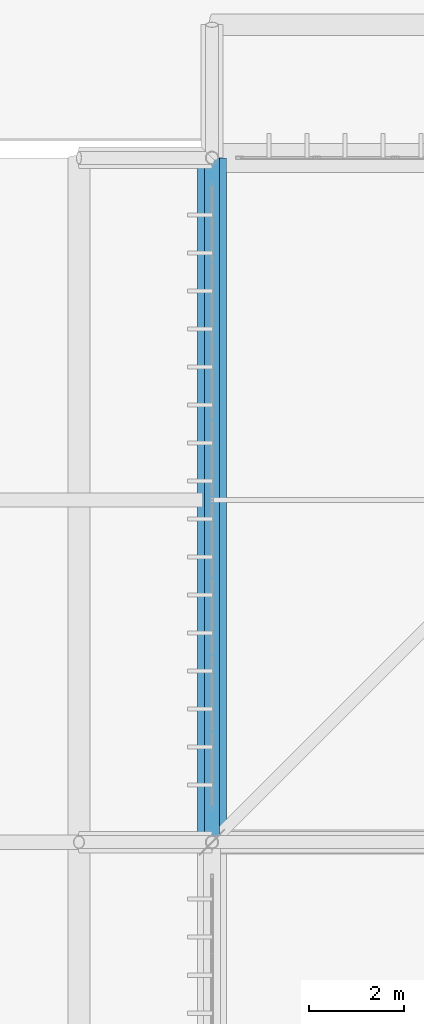
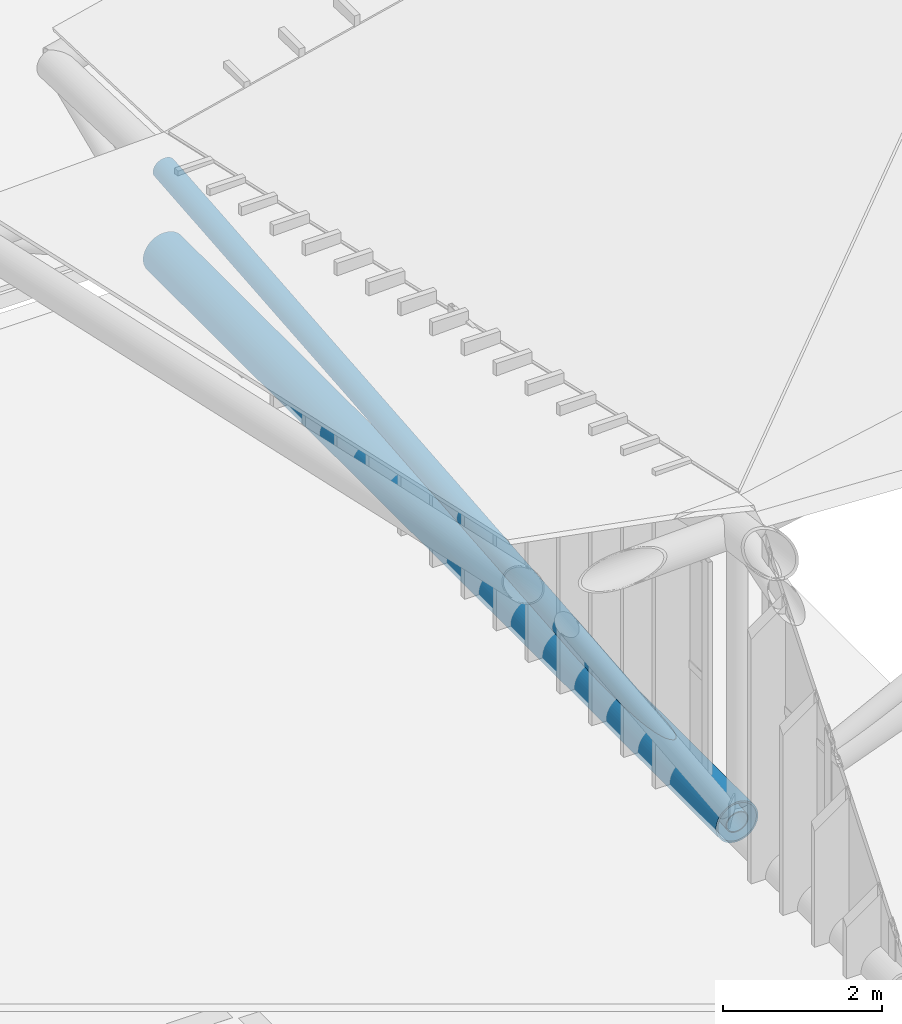
# One storey, part 214 of 397: 1 beam, 1 member.
"""IFC4 building model written with IfcOpenShell, lengths in metres."""

from ifc_helpers import new_model, si_unit, direction, frame, origin, origin_2d, place, context, subcontext, project, spatial, hollow_circle, extrude, material, material_profile, profile_set, type_object, element, save


model = new_model("IFC4")

# Units and contexts
model_context = context("Model", 3, precision=1e-05, world=origin(), true_north=direction((0.0, 1.0)))
body_context = subcontext(model_context, "Body", "Model", "MODEL_VIEW")
ifc_project = project(units=[si_unit("LENGTHUNIT", "METRE"), si_unit("AREAUNIT", "SQUARE_METRE"), si_unit("VOLUMEUNIT", "CUBIC_METRE"), si_unit("PLANEANGLEUNIT", "RADIAN"), si_unit("MASSUNIT", "GRAM", prefix="KILO")], contexts=[model_context])

# Site, building, storey
site_placement = place(None, origin())
site = spatial("IfcSite", under=ifc_project, at=site_placement, CompositionType="ELEMENT")
building_placement = place(site_placement, origin())
building = spatial("IfcBuilding", under=site, at=building_placement, Name="Qandorah Velis Arena", CompositionType="ELEMENT")
storey_placement = place(building_placement, frame((0.0, 0.0, 27.5)))
storey = spatial("IfcBuildingStorey", under=building, at=storey_placement, Name="RF", CompositionType="ELEMENT", Elevation=27.5)

# Beam
ifc_material_1 = material(Name="Steel S460", Category="steel")
ifc_material_profile_1 = material_profile(ifc_material_1, hollow_circle(Radius=0.304931640625, WallThickness=0.02490234375, at=origin_2d()), Name="CHS 610x25")
ifc_profile_set_1 = profile_set([ifc_material_profile_1], Name="Steel S460")
beam_type = type_object("IfcBeamType", Name="STR-SFC-CHS610X25", PredefinedType="USERDEFINED", material=ifc_profile_set_1)
beam_placement = place(storey_placement, frame((14.39990234375, 100.800048828125, 0.10009765625), z_axis=(0.0, 1.0, 0.0), x_axis=(-1.0, 0.0, 0.0)))
element("IfcBeam", 1, at=beam_placement, inside=storey, type_object=beam_type, Name="Space frame roof truss bottom chord Y 0.6", ObjectType="ROOF TRUSS", PredefinedType="USERDEFINED", context=body_context, shape_type="SweptSolid", body=[
    extrude(hollow_circle(Radius=0.304931640625, WallThickness=0.02490234375, at=origin_2d()), origin(), (0.0, 0.0, 1.0), 14.39990234375),
])

# Member
ifc_material_2 = material(Name="Steel S355", Category="steel")
ifc_material_profile_2 = material_profile(ifc_material_2, hollow_circle(Radius=0.161865234375, WallThickness=0.012451171875, at=origin_2d()), Name="CHS 323.9x12.5")
ifc_profile_set_2 = profile_set([ifc_material_profile_2], Name="Steel S355")
member_type = type_object("IfcMemberType", Name="STR-SFD-CHS323X12", PredefinedType="CHORD", material=ifc_profile_set_2)
member_placement = place(storey_placement, frame((14.39990234375, 100.800048828125, 0.10009765625), z_axis=(0.0, 0.995950857329, 0.089899331396), x_axis=(-1.0, 0.0, 0.0)))
element("IfcMember", 2, at=member_placement, inside=storey, type_object=member_type, Name="Space frame roof diagonal Y 0.6", PredefinedType="CHORD", context=body_context, shape_type="SweptSolid", body=[
    extrude(hollow_circle(Radius=0.161865234375, WallThickness=0.012451171875, at=origin_2d()), origin(), (0.0, 0.0, 1.0), 14.45849609375),
])

save(model, "model.ifc")
